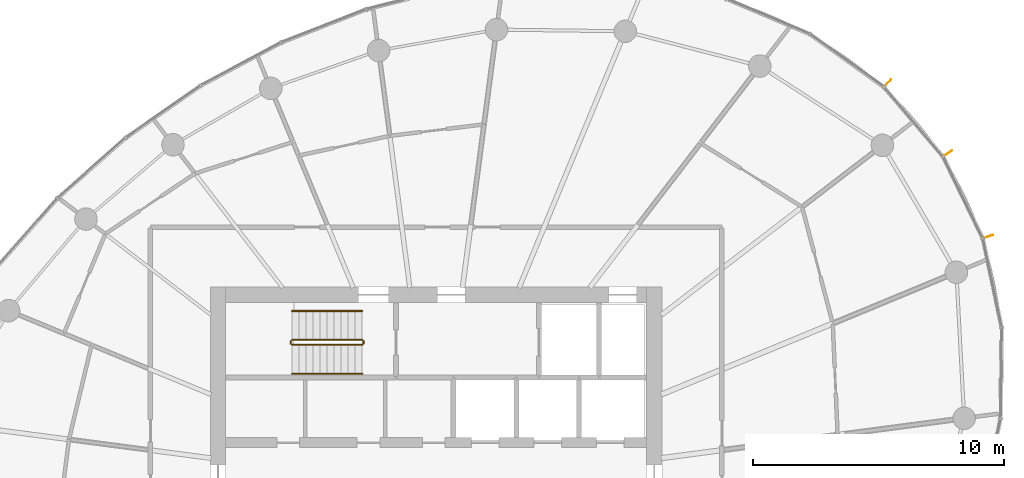
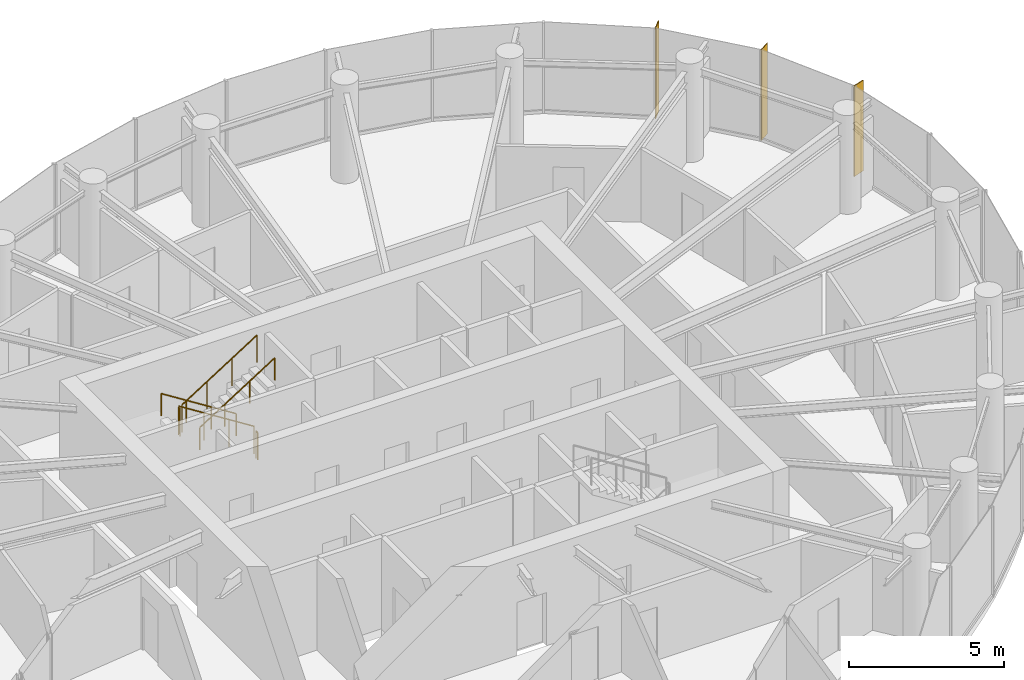
# One storey, part 15 of 15: 6 railings, 3 shading devices.
"""IFC4 building model written with IfcOpenShell, lengths in metres."""

from ifc_helpers import new_model, si_unit, direction, frame, origin, origin_2d, place, context, subcontext, project, spatial, rectangle, circle, extrude, source, transform, mapped, material, material_profile, profile_set, type_object, element, save


model = new_model("IFC4")

# Units and contexts
model_context = context("Model", 3, precision=1e-05, world=origin(), true_north=direction((0.0, 1.0)))
body_context = subcontext(model_context, "Body", "Model", "MODEL_VIEW")
ifc_project = project(units=[si_unit("LENGTHUNIT", "METRE"), si_unit("AREAUNIT", "SQUARE_METRE"), si_unit("VOLUMEUNIT", "CUBIC_METRE"), si_unit("PLANEANGLEUNIT", "RADIAN"), si_unit("MASSUNIT", "GRAM", prefix="KILO")], contexts=[model_context])

# Site, building, storey
site_placement = place(None, origin())
site = spatial("IfcSite", under=ifc_project, at=site_placement, CompositionType="ELEMENT")
building_placement = place(site_placement, origin())
building = spatial("IfcBuilding", under=site, at=building_placement, Name="Spindrift Exchange Tower", CompositionType="ELEMENT")
storey_placement = place(building_placement, frame((0.0, 0.0, 191.60009765625)))
storey = spatial("IfcBuildingStorey", under=building, at=storey_placement, Name="L46", CompositionType="ELEMENT", Elevation=191.60009765625)

# Railings
ifc_material_1 = material(Name="Steel balustrade", Category="steel")
railing_type_1 = type_object("IfcRailingType", Name="RL-STAIR-GUARD", PredefinedType="GUARDRAIL", material=ifc_material_1)
railing_1_placement = place(storey_placement, frame((49.050048828125, 53.89990234375, 0.17724609375)))
element("IfcRailing", 1, at=railing_1_placement, inside=storey, type_object=railing_type_1, Name="L46 ST1 stair guard 1", PredefinedType="GUARDRAIL", context=body_context, shape_type="SweptSolid", body=[
    extrude(circle(Radius=0.02392578125, at=origin_2d()), frame((0.0, 0.0, 1.076171875), z_axis=(-0.844908973607, 0.0, 0.534910110503), x_axis=(0.0, -1.0, 0.0)), (0.0, 0.0, 1.0), 3.31396484375),
    extrude(circle(Radius=0.02099609375, at=origin_2d()), origin(), (0.0, 0.0, 1.0), 1.052001953125),
    extrude(circle(Radius=0.02099609375, at=origin_2d()), frame((-0.933349609375, 0.0, 0.5908203125)), (0.0, 0.0, 1.0), 1.052001953125),
    extrude(circle(Radius=0.02099609375, at=origin_2d()), frame((-1.86669921875, 0.0, 1.181884765625)), (0.0, 0.0, 1.0), 1.052001953125),
    extrude(circle(Radius=0.02099609375, at=origin_2d()), frame((-2.800048828125, 0.0, 1.772705078125)), (0.0, 0.0, 1.0), 1.052001953125),
])
railing_2_placement = place(storey_placement, frame((46.199951171875, 53.85009765625, 1.949951171875)))
element("IfcRailing", 2, at=railing_2_placement, inside=storey, type_object=railing_type_1, Name="L46 ST1 stair guard 2", PredefinedType="GUARDRAIL", context=body_context, shape_type="SweptSolid", body=[
    extrude(circle(Radius=0.02392578125, at=origin_2d()), frame((0.0, 0.0, 1.076171875), z_axis=(0.0, -1.0, 0.0), x_axis=(1.0, 0.0, 0.0)), (0.0, 0.0, 1.0), 0.10009765625),
    extrude(circle(Radius=0.02099609375, at=origin_2d()), origin(), (0.0, 0.0, 1.0), 1.052001953125),
    extrude(circle(Radius=0.02099609375, at=origin_2d()), frame((0.0, -0.10009765625, 0.0)), (0.0, 0.0, 1.0), 1.052001953125),
])
railing_3_placement = place(storey_placement, frame((46.25, 53.699951171875, 2.127197265625)))
element("IfcRailing", 3, at=railing_3_placement, inside=storey, type_object=railing_type_1, Name="L46 ST1 stair guard 3", PredefinedType="GUARDRAIL", context=body_context, shape_type="SweptSolid", body=[
    extrude(circle(Radius=0.02392578125, at=origin_2d()), frame((0.0, 0.0, 1.076171875), z_axis=(0.844908973607, 0.0, 0.534910110503), x_axis=(0.0, 1.0, 0.0)), (0.0, 0.0, 1.0), 3.31396484375),
    extrude(circle(Radius=0.02099609375, at=origin_2d()), origin(), (0.0, 0.0, 1.0), 1.052001953125),
    extrude(circle(Radius=0.02099609375, at=origin_2d()), frame((0.933349609375, 0.0, 0.5908203125)), (0.0, 0.0, 1.0), 1.052001953125),
    extrude(circle(Radius=0.02099609375, at=origin_2d()), frame((1.86669921875, 0.0, 1.181884765625)), (0.0, 0.0, 1.0), 1.052001953125),
    extrude(circle(Radius=0.02099609375, at=origin_2d()), frame((2.800048828125, 0.0, 1.772705078125)), (0.0, 0.0, 1.0), 1.052001953125),
])
railing_4_placement = place(storey_placement, frame((49.10009765625, 53.85009765625, 0.0)))
element("IfcRailing", 4, at=railing_4_placement, inside=storey, type_object=railing_type_1, Name="L46 ST1 stair guard 4", PredefinedType="GUARDRAIL", context=body_context, shape_type="SweptSolid", body=[
    extrude(circle(Radius=0.02392578125, at=origin_2d()), frame((0.0, 0.0, 1.076171875), z_axis=(0.0, -1.0, 0.0), x_axis=(1.0, 0.0, 0.0)), (0.0, 0.0, 1.0), 0.10009765625),
    extrude(circle(Radius=0.02099609375, at=origin_2d()), origin(), (0.0, 0.0, 1.0), 1.052001953125),
    extrude(circle(Radius=0.02099609375, at=origin_2d()), frame((0.0, -0.10009765625, 0.0)), (0.0, 0.0, 1.0), 1.052001953125),
])
ifc_material_2 = material(Name="Steel tubular handrail", Category="steel")
railing_type_2 = type_object("IfcRailingType", Name="RL-STAIR-HAND", PredefinedType="HANDRAIL", material=ifc_material_2)
railing_5_placement = place(storey_placement, frame((49.050048828125, 55.050048828125, 0.17724609375)))
element("IfcRailing", 5, at=railing_5_placement, inside=storey, type_object=railing_type_2, Name="L46 ST1 stair handrail 1", PredefinedType="HANDRAIL", context=body_context, shape_type="SweptSolid", body=[
    extrude(circle(Radius=0.02392578125, at=origin_2d()), frame((0.0, 0.0, 0.8759765625), z_axis=(-0.844908973607, 0.0, 0.534910110503), x_axis=(0.0, -1.0, 0.0)), (0.0, 0.0, 1.0), 3.31396484375),
    extrude(circle(Radius=0.02099609375, at=origin_2d()), origin(), (0.0, 0.0, 1.0), 0.851806640625),
    extrude(circle(Radius=0.02099609375, at=origin_2d()), frame((-0.933349609375, 0.0, 0.5908203125)), (0.0, 0.0, 1.0), 0.851806640625),
    extrude(circle(Radius=0.02099609375, at=origin_2d()), frame((-1.86669921875, 0.0, 1.181884765625)), (0.0, 0.0, 1.0), 0.851806640625),
    extrude(circle(Radius=0.02099609375, at=origin_2d()), frame((-2.800048828125, 0.0, 1.772705078125)), (0.0, 0.0, 1.0), 0.851806640625),
])
railing_6_placement = place(storey_placement, frame((46.25, 52.550048828125, 2.127197265625)))
element("IfcRailing", 6, at=railing_6_placement, inside=storey, type_object=railing_type_2, Name="L46 ST1 stair handrail 2", PredefinedType="HANDRAIL", context=body_context, shape_type="SweptSolid", body=[
    extrude(circle(Radius=0.02392578125, at=origin_2d()), frame((0.0, 0.0, 0.8759765625), z_axis=(0.844908973607, 0.0, 0.534910110503), x_axis=(0.0, 1.0, 0.0)), (0.0, 0.0, 1.0), 3.31396484375),
    extrude(circle(Radius=0.02099609375, at=origin_2d()), origin(), (0.0, 0.0, 1.0), 0.851806640625),
    extrude(circle(Radius=0.02099609375, at=origin_2d()), frame((0.933349609375, 0.0, 0.5908203125)), (0.0, 0.0, 1.0), 0.851806640625),
    extrude(circle(Radius=0.02099609375, at=origin_2d()), frame((1.86669921875, 0.0, 1.181884765625)), (0.0, 0.0, 1.0), 0.851806640625),
    extrude(circle(Radius=0.02099609375, at=origin_2d()), frame((2.800048828125, 0.0, 1.772705078125)), (0.0, 0.0, 1.0), 0.851806640625),
])

# Shading devices
ifc_material_3 = material(Name="Bronze anodised aluminium", Category="aluminium")
ifc_material_profile = material_profile(ifc_material_3, rectangle(XDim=0.030029296875, YDim=0.449951171875, at=origin_2d()), Name="WIND FIN 30X450")
ifc_profile_set = profile_set([ifc_material_profile], Name="Bronze anodised aluminium")
shading_device_type = type_object("IfcShadingDeviceType", Name="WIND FIN 30X450", PredefinedType="USERDEFINED", material=ifc_profile_set)
shared_shape = source(origin(), body_context, "Body", "SweptSolid", [
    extrude(rectangle(XDim=0.030029296875, YDim=0.449951171875, at=origin_2d()), origin(), (0.0, 0.0, 1.0), 3.579833984375),
])
for number, where, z_axis, x_axis, name in (
    (7, (72.38720703125, 61.32470703125, 0.0), (0.0, 0.0, 1.0), (-0.547100183643, 0.837067135335, 0.0), "L46 wind fin 2"),
    (8, (69.998779296875, 64.12890625, 0.0), (0.0, 0.0, 1.0), (-0.7363238691, 0.676629263181, 0.0), "L46 wind fin 3"),
    (9, (73.9970703125, 58.011474609375, 0.0), (0.0, 0.0, 1.0), (-0.324198113113, 0.945989208952, 0.0), "L46 wind fin 4"),
):
    element("IfcShadingDevice", number, at=place(storey_placement, frame(where, z_axis=z_axis, x_axis=x_axis)), inside=storey, type_object=shading_device_type, Name=name, ObjectType="FIN", PredefinedType="USERDEFINED", context=body_context, shape_type="MappedRepresentation", body=[
        mapped(shared_shape, transform((0.0, 0.0, 0.0), scale=1.0)),
    ])

save(model, "model.ifc")
